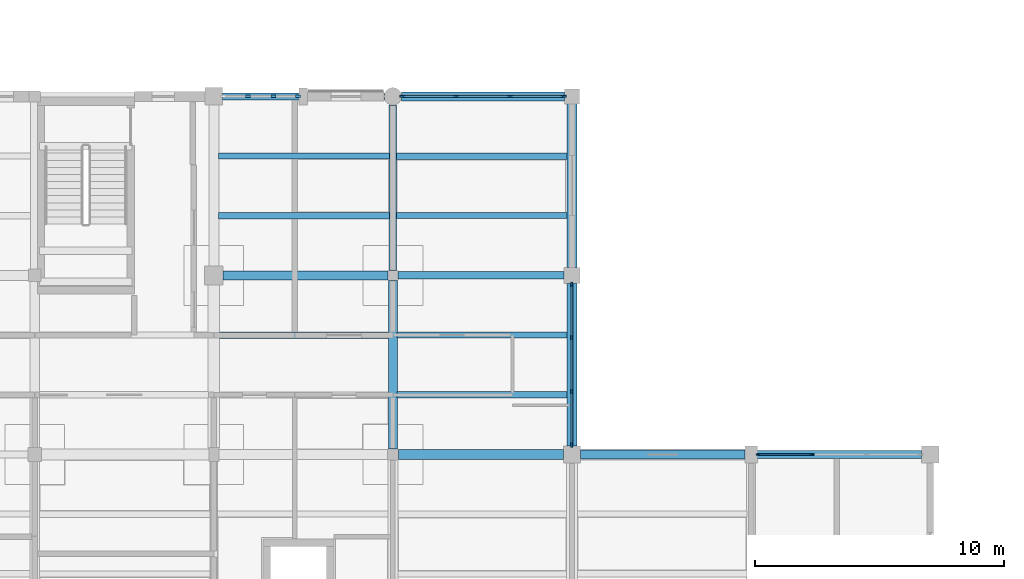
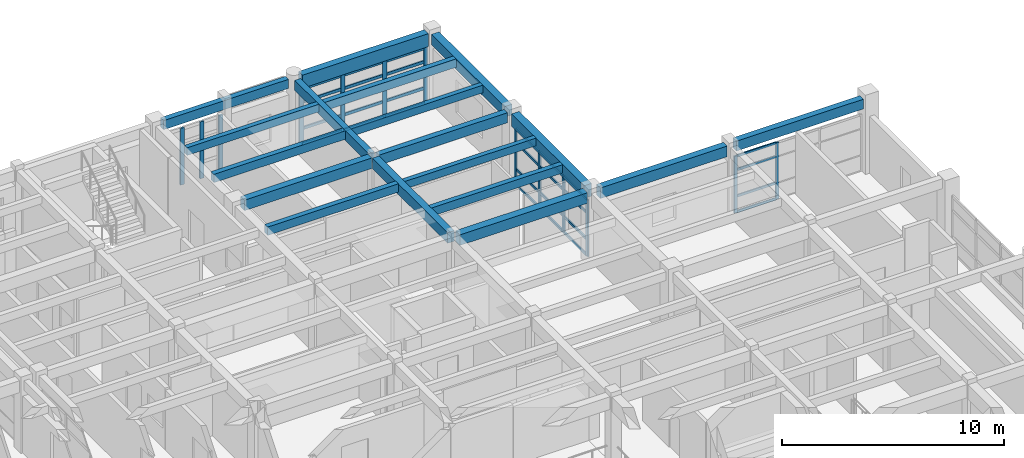
# One storey, part 50 of 110: 41 members, 18 beams, 4 elements without a shape of their own.
"""IFC4 building model written with IfcOpenShell, lengths in metres."""

from ifc_helpers import new_model, si_unit, direction, frame, origin, origin_2d, place, context, subcontext, project, spatial, rectangle, extrude, material, material_profile, profile_set, type_object, element, aggregate, save


model = new_model("IFC4")

# Units and contexts
model_context = context("Model", 3, precision=1e-05, world=origin(), true_north=direction((0.0, 1.0)))
body_context = subcontext(model_context, "Body", "Model", "MODEL_VIEW")
ifc_project = project(units=[si_unit("LENGTHUNIT", "METRE"), si_unit("AREAUNIT", "SQUARE_METRE"), si_unit("VOLUMEUNIT", "CUBIC_METRE"), si_unit("PLANEANGLEUNIT", "RADIAN"), si_unit("MASSUNIT", "GRAM", prefix="KILO")], contexts=[model_context])

# Site, building, storey
site_placement = place(None, origin())
site = spatial("IfcSite", under=ifc_project, at=site_placement, CompositionType="ELEMENT")
building_placement = place(site_placement, origin())
building = spatial("IfcBuilding", under=site, at=building_placement, Name="Steenspoor Specialist Clinic", CompositionType="ELEMENT")
storey_placement = place(building_placement, frame((0.0, 0.0, 4.800048828125)))
storey = spatial("IfcBuildingStorey", under=building, at=storey_placement, Name="L01", CompositionType="ELEMENT", Elevation=4.800048828125)

# Beams
ifc_material_1 = material(Name="Concrete C35/45", Category="concrete")
ifc_material_profile_1 = material_profile(ifc_material_1, rectangle(XDim=0.300048828125, YDim=0.550048828125, at=origin_2d()), Name="RC-BM-300X550")
ifc_profile_set_1 = profile_set([ifc_material_profile_1], Name="Concrete C35/45")
beam_type_1 = type_object("IfcBeamType", Name="BM-RC-300X550", PredefinedType="BEAM", material=ifc_profile_set_1)
beam_1_placement = place(storey_placement, frame((139.794921875, 101.14990234375, 3.675048828125), z_axis=(1.0, 0.0, 0.0), x_axis=(0.0, 1.0, 0.0)))
element("IfcBeam", 1, at=beam_1_placement, inside=storey, type_object=beam_type_1, Name="BM-V6-L01-X1505", PredefinedType="BEAM", context=body_context, shape_type="SweptSolid", body=[
    extrude(rectangle(XDim=0.300048828125, YDim=0.550048828125, at=origin_2d()), origin(), (0.0, 0.0, 1.0), 6.68505859375),
])
beam_2_placement = place(storey_placement, frame((139.60009765625, 101.344970703125, 3.675048828125), z_axis=(0.0, 1.0, 0.0), x_axis=(-1.0, 0.0, 0.0)))
element("IfcBeam", 2, at=beam_2_placement, inside=storey, type_object=beam_type_1, Name="BM-V6-L01-Y1533", PredefinedType="BEAM", context=body_context, shape_type="SweptSolid", body=[
    extrude(rectangle(XDim=0.300048828125, YDim=0.550048828125, at=origin_2d()), origin(), (0.0, 0.0, 1.0), 6.659912109375),
])
ifc_material_profile_2 = material_profile(ifc_material_1, rectangle(XDim=0.35009765625, YDim=0.580078125, at=origin_2d()), Name="RC-BM-350X580")
ifc_profile_set_2 = profile_set([ifc_material_profile_2], Name="Concrete C35/45")
beam_type_2 = type_object("IfcBeamType", Name="BM-RC-350X580", PredefinedType="BEAM", material=ifc_profile_set_2)
beam_3_placement = place(storey_placement, frame((147.14501953125, 93.949951171875, 3.659912109375), z_axis=(1.0, 0.0, 0.0), x_axis=(0.0, 1.0, 0.0)))
element("IfcBeam", 3, at=beam_3_placement, inside=storey, type_object=beam_type_2, Name="BM-V6-L01-X1502", PredefinedType="BEAM", context=body_context, shape_type="SweptSolid", body=[
    extrude(rectangle(XDim=0.35009765625, YDim=0.580078125, at=origin_2d()), origin(), (0.0, 0.0, 1.0), 6.60986328125),
])
beam_4_placement = place(storey_placement, frame((132.77001953125, 101.14990234375, 3.659912109375), z_axis=(1.0, 0.0, 0.0), x_axis=(0.0, 1.0, 0.0)))
element("IfcBeam", 4, at=beam_4_placement, inside=storey, type_object=beam_type_2, Name="BM-V6-L01-X1504", PredefinedType="BEAM", context=body_context, shape_type="SweptSolid", body=[
    extrude(rectangle(XDim=0.35009765625, YDim=0.580078125, at=origin_2d()), origin(), (0.0, 0.0, 1.0), 6.635009765625),
])
beam_5_placement = place(storey_placement, frame((139.60009765625, 94.169921875, 3.659912109375), z_axis=(0.0, 1.0, 0.0), x_axis=(-1.0, 0.0, 0.0)))
element("IfcBeam", 5, at=beam_5_placement, inside=storey, type_object=beam_type_2, Name="BM-V6-L01-Y1532", PredefinedType="BEAM", context=body_context, shape_type="SweptSolid", body=[
    extrude(rectangle(XDim=0.35009765625, YDim=0.580078125, at=origin_2d()), origin(), (0.0, 0.0, 1.0), 6.78515625),
])
ifc_material_profile_3 = material_profile(ifc_material_1, rectangle(XDim=0.39990234375, YDim=0.580078125, at=origin_2d()), Name="RC-BM-400X580")
ifc_profile_set_3 = profile_set([ifc_material_profile_3], Name="Concrete C35/45")
beam_type_3 = type_object("IfcBeamType", Name="BM-RC-400X580", PredefinedType="BEAM", material=ifc_profile_set_3)
beam_6_placement = place(storey_placement, frame((139.820068359375, 93.949951171875, 3.659912109375), z_axis=(1.0, 0.0, 0.0), x_axis=(0.0, 1.0, 0.0)))
element("IfcBeam", 6, at=beam_6_placement, inside=storey, type_object=beam_type_3, Name="BM-V6-L01-X1501", PredefinedType="BEAM", context=body_context, shape_type="SweptSolid", body=[
    extrude(rectangle(XDim=0.39990234375, YDim=0.580078125, at=origin_2d()), origin(), (0.0, 0.0, 1.0), 6.635009765625),
])
beam_7_placement = place(storey_placement, frame((146.800048828125, 101.469970703125, 3.659912109375), z_axis=(0.0, 1.0, 0.0), x_axis=(-1.0, 0.0, 0.0)))
element("IfcBeam", 7, at=beam_7_placement, inside=storey, type_object=beam_type_3, Name="BM-V6-L01-Y1539", PredefinedType="BEAM", context=body_context, shape_type="SweptSolid", body=[
    extrude(rectangle(XDim=0.39990234375, YDim=0.580078125, at=origin_2d()), origin(), (0.0, 0.0, 1.0), 6.5849609375),
])
ifc_material_profile_4 = material_profile(ifc_material_1, rectangle(XDim=0.39990234375, YDim=0.699951171875, at=origin_2d()), Name="RC-BM-400X700")
ifc_profile_set_4 = profile_set([ifc_material_profile_4], Name="Concrete C35/45")
beam_type_4 = type_object("IfcBeamType", Name="BM-RC-400X700", PredefinedType="BEAM", material=ifc_profile_set_4)
beam_8_placement = place(storey_placement, frame((146.800048828125, 94.294921875, 3.599853515625), z_axis=(0.0, 1.0, 0.0), x_axis=(-1.0, 0.0, 0.0)))
element("IfcBeam", 8, at=beam_8_placement, inside=storey, type_object=beam_type_4, Name="BM-V6-L01-Y1538", PredefinedType="BEAM", context=body_context, shape_type="SweptSolid", body=[
    extrude(rectangle(XDim=0.39990234375, YDim=0.699951171875, at=origin_2d()), origin(), (0.0, 0.0, 1.0), 6.53515625),
])

# Curtain wall, members
ifc_material_2 = material(Name="Thermally broken aluminium and low-emissivity glass", Category="aluminium")
curtain_wall_type_1 = type_object("IfcCurtainWallType", Name="CW-TYP-360X355", PredefinedType="USERDEFINED", material=ifc_material_2)
curtain_wall_1_placement = place(storey_placement, origin())
curtain_wall_1 = element("IfcCurtainWall", 9, at=curtain_wall_1_placement, inside=storey, type_object=curtain_wall_type_1, Name="Unitised Curtain Wall CW-V6-L01-182", ObjectType="UNITISED GLAZING", PredefinedType="USERDEFINED")
ifc_material_3 = material(Name="Thermally broken aluminium 6063-T6", Category="aluminium")
ifc_material_profile_5 = material_profile(ifc_material_3, rectangle(XDim=0.070068359375, YDim=0.1650390625, at=origin_2d()), Name="CWM-70X165")
ifc_profile_set_5 = profile_set([ifc_material_profile_5], Name="Thermally broken aluminium 6063-T6")
member_type_1 = type_object("IfcMemberType", Name="CW-MULL-70X165", PredefinedType="MULLION", material=ifc_profile_set_5)
member_1_placement = place(storey_placement, frame((154.284912109375, 93.949951171875, 0.0), z_axis=(0.0, 0.0, 1.0), x_axis=(0.0, 1.0, 0.0)))
member_1 = element("IfcMember", 10, at=member_1_placement, type_object=member_type_1, Name="CW-14 mullion 1", PredefinedType="MULLION", context=body_context, shape_type="SweptSolid", body=[
    extrude(rectangle(XDim=0.070068359375, YDim=0.1650390625, at=origin_2d()), origin(), (0.0, 0.0, 1.0), 3.1298828125),
])
member_2_placement = place(storey_placement, frame((156.449951171875, 93.949951171875, 0.0), z_axis=(0.0, 0.0, 1.0), x_axis=(0.0, 1.0, 0.0)))
member_2 = element("IfcMember", 11, at=member_2_placement, type_object=member_type_1, Name="CW-14 mullion 2", PredefinedType="MULLION", context=body_context, shape_type="SweptSolid", body=[
    extrude(rectangle(XDim=0.070068359375, YDim=0.1650390625, at=origin_2d()), origin(), (0.0, 0.0, 1.0), 3.1298828125),
])

curtain_wall_type_2 = type_object("IfcCurtainWallType", Name="CW-TYP-420X355", PredefinedType="USERDEFINED", material=ifc_material_2)
curtain_wall_2_placement = place(storey_placement, origin())
curtain_wall_2 = element("IfcCurtainWall", 12, at=curtain_wall_2_placement, inside=storey, type_object=curtain_wall_type_2, Name="Unitised Curtain Wall CW-V6-L01-181", ObjectType="UNITISED GLAZING", PredefinedType="USERDEFINED")
ifc_material_profile_6 = material_profile(ifc_material_3, rectangle(XDim=0.080078125, YDim=0.179931640625, at=origin_2d()), Name="CWM-80X180")
ifc_profile_set_6 = profile_set([ifc_material_profile_6], Name="Thermally broken aluminium 6063-T6")
member_type_2 = type_object("IfcMemberType", Name="CW-MULL-80X180", PredefinedType="MULLION", material=ifc_profile_set_6)
member_3_placement = place(storey_placement, frame((146.800048828125, 100.784912109375, 0.0), z_axis=(0.0, 0.0, 1.0), x_axis=(1.0, 0.0, 0.0)))
member_3 = element("IfcMember", 13, at=member_3_placement, type_object=member_type_2, Name="CW-13 mullion 1", PredefinedType="MULLION", context=body_context, shape_type="SweptSolid", body=[
    extrude(rectangle(XDim=0.080078125, YDim=0.179931640625, at=origin_2d()), origin(), (0.0, 0.0, 1.0), 3.1298828125),
])
member_4_placement = place(storey_placement, frame((146.800048828125, 98.64990234375, 0.0), z_axis=(0.0, 0.0, 1.0), x_axis=(1.0, 0.0, 0.0)))
member_4 = element("IfcMember", 14, at=member_4_placement, type_object=member_type_2, Name="CW-13 mullion 2", PredefinedType="MULLION", context=body_context, shape_type="SweptSolid", body=[
    extrude(rectangle(XDim=0.080078125, YDim=0.179931640625, at=origin_2d()), origin(), (0.0, 0.0, 1.0), 3.1298828125),
])
member_5_placement = place(storey_placement, frame((146.800048828125, 96.47509765625, 0.0), z_axis=(0.0, 0.0, 1.0), x_axis=(1.0, 0.0, 0.0)))
member_5 = element("IfcMember", 15, at=member_5_placement, type_object=member_type_2, Name="CW-13 mullion 3", PredefinedType="MULLION", context=body_context, shape_type="SweptSolid", body=[
    extrude(rectangle(XDim=0.080078125, YDim=0.179931640625, at=origin_2d()), origin(), (0.0, 0.0, 1.0), 3.1298828125),
])
member_6_placement = place(storey_placement, frame((146.800048828125, 94.340087890625, 0.0), z_axis=(0.0, 0.0, 1.0), x_axis=(1.0, 0.0, 0.0)))
member_6 = element("IfcMember", 16, at=member_6_placement, type_object=member_type_2, Name="CW-13 mullion 4", PredefinedType="MULLION", context=body_context, shape_type="SweptSolid", body=[
    extrude(rectangle(XDim=0.080078125, YDim=0.179931640625, at=origin_2d()), origin(), (0.0, 0.0, 1.0), 3.1298828125),
])

curtain_wall_type_3 = type_object("IfcCurtainWallType", Name="CW-TYP-480X355", PredefinedType="USERDEFINED", material=ifc_material_2)
curtain_wall_3_placement = place(storey_placement, origin())
curtain_wall_3 = element("IfcCurtainWall", 17, at=curtain_wall_3_placement, inside=storey, type_object=curtain_wall_type_3, Name="Unitised Curtain Wall CW-V6-L01-180", ObjectType="UNITISED GLAZING", PredefinedType="USERDEFINED")
ifc_material_profile_7 = material_profile(ifc_material_3, rectangle(XDim=0.080078125, YDim=0.219970703125, at=origin_2d()), Name="CWM-80X220")
ifc_profile_set_7 = profile_set([ifc_material_profile_7], Name="Thermally broken aluminium 6063-T6")
member_type_3 = type_object("IfcMemberType", Name="CW-MULL-80X220", PredefinedType="MULLION", material=ifc_profile_set_7)
member_7_placement = place(storey_placement, frame((139.989990234375, 108.35009765625, 0.0), z_axis=(0.0, 0.0, 1.0), x_axis=(0.0, 1.0, 0.0)))
member_7 = element("IfcMember", 18, at=member_7_placement, type_object=member_type_3, Name="CW-12 mullion 1", PredefinedType="MULLION", context=body_context, shape_type="SweptSolid", body=[
    extrude(rectangle(XDim=0.080078125, YDim=0.219970703125, at=origin_2d()), origin(), (0.0, 0.0, 1.0), 3.1298828125),
])
member_8_placement = place(storey_placement, frame((142.13330078125, 108.35009765625, 0.0), z_axis=(0.0, 0.0, 1.0), x_axis=(0.0, 1.0, 0.0)))
member_8 = element("IfcMember", 19, at=member_8_placement, type_object=member_type_3, Name="CW-12 mullion 2", PredefinedType="MULLION", context=body_context, shape_type="SweptSolid", body=[
    extrude(rectangle(XDim=0.080078125, YDim=0.219970703125, at=origin_2d()), origin(), (0.0, 0.0, 1.0), 3.1298828125),
])
member_9_placement = place(storey_placement, frame((144.316650390625, 108.35009765625, 0.0), z_axis=(0.0, 0.0, 1.0), x_axis=(0.0, 1.0, 0.0)))
member_9 = element("IfcMember", 20, at=member_9_placement, type_object=member_type_3, Name="CW-12 mullion 3", PredefinedType="MULLION", context=body_context, shape_type="SweptSolid", body=[
    extrude(rectangle(XDim=0.080078125, YDim=0.219970703125, at=origin_2d()), origin(), (0.0, 0.0, 1.0), 3.1298828125),
])
member_10_placement = place(storey_placement, frame((146.4599609375, 108.35009765625, 0.0), z_axis=(0.0, 0.0, 1.0), x_axis=(0.0, 1.0, 0.0)))
member_10 = element("IfcMember", 21, at=member_10_placement, type_object=member_type_3, Name="CW-12 mullion 4", PredefinedType="MULLION", context=body_context, shape_type="SweptSolid", body=[
    extrude(rectangle(XDim=0.080078125, YDim=0.219970703125, at=origin_2d()), origin(), (0.0, 0.0, 1.0), 3.1298828125),
])

curtain_wall_type_4 = type_object("IfcCurtainWallType", Name="CW-TYP-540X355", PredefinedType="USERDEFINED", material=ifc_material_2)
curtain_wall_4_placement = place(storey_placement, origin())
curtain_wall_4 = element("IfcCurtainWall", 22, at=curtain_wall_4_placement, inside=storey, type_object=curtain_wall_type_4, Name="Unitised Curtain Wall CW-V6-L01-179", ObjectType="UNITISED GLAZING", PredefinedType="USERDEFINED")
ifc_material_profile_8 = material_profile(ifc_material_3, rectangle(XDim=0.090087890625, YDim=0.199951171875, at=origin_2d()), Name="CWM-90X200")
ifc_profile_set_8 = profile_set([ifc_material_profile_8], Name="Thermally broken aluminium 6063-T6")
member_type_4 = type_object("IfcMemberType", Name="CW-MULL-90X200", PredefinedType="MULLION", material=ifc_profile_set_8)
member_11_placement = place(storey_placement, frame((133.776611328125, 108.35009765625, 0.0), z_axis=(0.0, 0.0, 1.0), x_axis=(0.0, 1.0, 0.0)))
member_11 = element("IfcMember", 23, at=member_11_placement, type_object=member_type_4, Name="CW-11 mullion 2", PredefinedType="MULLION", context=body_context, shape_type="SweptSolid", body=[
    extrude(rectangle(XDim=0.090087890625, YDim=0.199951171875, at=origin_2d()), origin(), (0.0, 0.0, 1.0), 3.1298828125),
])
member_12_placement = place(storey_placement, frame((134.80322265625, 108.35009765625, 0.0), z_axis=(0.0, 0.0, 1.0), x_axis=(0.0, 1.0, 0.0)))
member_12 = element("IfcMember", 24, at=member_12_placement, type_object=member_type_4, Name="CW-11 mullion 3", PredefinedType="MULLION", context=body_context, shape_type="SweptSolid", body=[
    extrude(rectangle(XDim=0.090087890625, YDim=0.199951171875, at=origin_2d()), origin(), (0.0, 0.0, 1.0), 3.1298828125),
])
member_13_placement = place(storey_placement, frame((135.784912109375, 108.35009765625, 0.0), z_axis=(0.0, 0.0, 1.0), x_axis=(0.0, 1.0, 0.0)))
member_13 = element("IfcMember", 25, at=member_13_placement, type_object=member_type_4, Name="CW-11 mullion 4", PredefinedType="MULLION", context=body_context, shape_type="SweptSolid", body=[
    extrude(rectangle(XDim=0.090087890625, YDim=0.199951171875, at=origin_2d()), origin(), (0.0, 0.0, 1.0), 3.1298828125),
])
aggregate(curtain_wall_4, [member_11, member_12, member_13])

# Member
ifc_material_profile_9 = material_profile(ifc_material_3, rectangle(XDim=0.06494140625, YDim=0.1298828125, at=origin_2d()), Name="CWT-65X130")
ifc_profile_set_9 = profile_set([ifc_material_profile_9], Name="Thermally broken aluminium 6063-T6")
member_type_5 = type_object("IfcMemberType", Name="CW-TRAN-65X130", PredefinedType="USERDEFINED", material=ifc_profile_set_9)
member_14_placement = place(storey_placement, frame((154.320068359375, 93.949951171875, 0.032470703125), z_axis=(1.0, 0.0, 0.0), x_axis=(0.0, 1.0, 0.0)))
member_14 = element("IfcMember", 26, at=member_14_placement, type_object=member_type_5, Name="CW-14 transom 1.1", ObjectType="TRANSOM", PredefinedType="USERDEFINED", context=body_context, shape_type="SweptSolid", body=[
    extrude(rectangle(XDim=0.06494140625, YDim=0.1298828125, at=origin_2d()), origin(), (0.0, 0.0, 1.0), 2.094970703125),
])

member_15_placement = place(storey_placement, frame((154.320068359375, 93.949951171875, 0.89990234375), z_axis=(1.0, 0.0, 0.0), x_axis=(0.0, 1.0, 0.0)))
member_15 = element("IfcMember", 27, at=member_15_placement, type_object=member_type_5, Name="CW-14 transom 1.2", ObjectType="TRANSOM", PredefinedType="USERDEFINED", context=body_context, shape_type="SweptSolid", body=[
    extrude(rectangle(XDim=0.06494140625, YDim=0.1298828125, at=origin_2d()), origin(), (0.0, 0.0, 1.0), 2.094970703125),
])

member_16_placement = place(storey_placement, frame((154.320068359375, 93.949951171875, 2.349853515625), z_axis=(1.0, 0.0, 0.0), x_axis=(0.0, 1.0, 0.0)))
member_16 = element("IfcMember", 28, at=member_16_placement, type_object=member_type_5, Name="CW-14 transom 1.3", ObjectType="TRANSOM", PredefinedType="USERDEFINED", context=body_context, shape_type="SweptSolid", body=[
    extrude(rectangle(XDim=0.06494140625, YDim=0.1298828125, at=origin_2d()), origin(), (0.0, 0.0, 1.0), 2.094970703125),
])

member_17_placement = place(storey_placement, frame((154.320068359375, 93.949951171875, 3.097412109375), z_axis=(1.0, 0.0, 0.0), x_axis=(0.0, 1.0, 0.0)))
member_17 = element("IfcMember", 29, at=member_17_placement, type_object=member_type_5, Name="CW-14 transom 1.4", ObjectType="TRANSOM", PredefinedType="USERDEFINED", context=body_context, shape_type="SweptSolid", body=[
    extrude(rectangle(XDim=0.06494140625, YDim=0.1298828125, at=origin_2d()), origin(), (0.0, 0.0, 1.0), 2.094970703125),
])

aggregate(curtain_wall_1, [member_1, member_2, member_14, member_15, member_16, member_17])

ifc_material_profile_10 = material_profile(ifc_material_3, rectangle(XDim=0.070068359375, YDim=0.14501953125, at=origin_2d()), Name="CWT-70X145")
ifc_profile_set_10 = profile_set([ifc_material_profile_10], Name="Thermally broken aluminium 6063-T6")
member_type_6 = type_object("IfcMemberType", Name="CW-TRAN-70X145", PredefinedType="USERDEFINED", material=ifc_profile_set_10)
member_18_placement = place(storey_placement, frame((146.800048828125, 100.7451171875, 0.034912109375), z_axis=(0.0, -1.0, 0.0), x_axis=(1.0, 0.0, 0.0)))
member_18 = element("IfcMember", 30, at=member_18_placement, type_object=member_type_6, Name="CW-13 transom 1.1", ObjectType="TRANSOM", PredefinedType="USERDEFINED", context=body_context, shape_type="SweptSolid", body=[
    extrude(rectangle(XDim=0.070068359375, YDim=0.14501953125, at=origin_2d()), origin(), (0.0, 0.0, 1.0), 2.05517578125),
])

member_19_placement = place(storey_placement, frame((146.800048828125, 100.7451171875, 0.89990234375), z_axis=(0.0, -1.0, 0.0), x_axis=(1.0, 0.0, 0.0)))
member_19 = element("IfcMember", 31, at=member_19_placement, type_object=member_type_6, Name="CW-13 transom 1.2", ObjectType="TRANSOM", PredefinedType="USERDEFINED", context=body_context, shape_type="SweptSolid", body=[
    extrude(rectangle(XDim=0.070068359375, YDim=0.14501953125, at=origin_2d()), origin(), (0.0, 0.0, 1.0), 2.05517578125),
])

member_20_placement = place(storey_placement, frame((146.800048828125, 100.7451171875, 2.349853515625), z_axis=(0.0, -1.0, 0.0), x_axis=(1.0, 0.0, 0.0)))
member_20 = element("IfcMember", 32, at=member_20_placement, type_object=member_type_6, Name="CW-13 transom 1.3", ObjectType="TRANSOM", PredefinedType="USERDEFINED", context=body_context, shape_type="SweptSolid", body=[
    extrude(rectangle(XDim=0.070068359375, YDim=0.14501953125, at=origin_2d()), origin(), (0.0, 0.0, 1.0), 2.05517578125),
])

member_21_placement = place(storey_placement, frame((146.800048828125, 100.7451171875, 3.094970703125), z_axis=(0.0, -1.0, 0.0), x_axis=(1.0, 0.0, 0.0)))
member_21 = element("IfcMember", 33, at=member_21_placement, type_object=member_type_6, Name="CW-13 transom 1.4", ObjectType="TRANSOM", PredefinedType="USERDEFINED", context=body_context, shape_type="SweptSolid", body=[
    extrude(rectangle(XDim=0.070068359375, YDim=0.14501953125, at=origin_2d()), origin(), (0.0, 0.0, 1.0), 2.05517578125),
])

member_22_placement = place(storey_placement, frame((146.800048828125, 98.610107421875, 0.034912109375), z_axis=(0.0, -1.0, 0.0), x_axis=(1.0, 0.0, 0.0)))
member_22 = element("IfcMember", 34, at=member_22_placement, type_object=member_type_6, Name="CW-13 transom 2.1", ObjectType="TRANSOM", PredefinedType="USERDEFINED", context=body_context, shape_type="SweptSolid", body=[
    extrude(rectangle(XDim=0.070068359375, YDim=0.14501953125, at=origin_2d()), origin(), (0.0, 0.0, 1.0), 2.09521484375),
])

member_23_placement = place(storey_placement, frame((146.800048828125, 98.610107421875, 0.89990234375), z_axis=(0.0, -1.0, 0.0), x_axis=(1.0, 0.0, 0.0)))
member_23 = element("IfcMember", 35, at=member_23_placement, type_object=member_type_6, Name="CW-13 transom 2.2", ObjectType="TRANSOM", PredefinedType="USERDEFINED", context=body_context, shape_type="SweptSolid", body=[
    extrude(rectangle(XDim=0.070068359375, YDim=0.14501953125, at=origin_2d()), origin(), (0.0, 0.0, 1.0), 2.09521484375),
])

member_24_placement = place(storey_placement, frame((146.800048828125, 98.610107421875, 2.349853515625), z_axis=(0.0, -1.0, 0.0), x_axis=(1.0, 0.0, 0.0)))
member_24 = element("IfcMember", 36, at=member_24_placement, type_object=member_type_6, Name="CW-13 transom 2.3", ObjectType="TRANSOM", PredefinedType="USERDEFINED", context=body_context, shape_type="SweptSolid", body=[
    extrude(rectangle(XDim=0.070068359375, YDim=0.14501953125, at=origin_2d()), origin(), (0.0, 0.0, 1.0), 2.09521484375),
])

member_25_placement = place(storey_placement, frame((146.800048828125, 98.610107421875, 3.094970703125), z_axis=(0.0, -1.0, 0.0), x_axis=(1.0, 0.0, 0.0)))
member_25 = element("IfcMember", 37, at=member_25_placement, type_object=member_type_6, Name="CW-13 transom 2.4", ObjectType="TRANSOM", PredefinedType="USERDEFINED", context=body_context, shape_type="SweptSolid", body=[
    extrude(rectangle(XDim=0.070068359375, YDim=0.14501953125, at=origin_2d()), origin(), (0.0, 0.0, 1.0), 2.09521484375),
])

member_26_placement = place(storey_placement, frame((146.800048828125, 96.43505859375, 0.034912109375), z_axis=(0.0, -1.0, 0.0), x_axis=(1.0, 0.0, 0.0)))
member_26 = element("IfcMember", 38, at=member_26_placement, type_object=member_type_6, Name="CW-13 transom 3.1", ObjectType="TRANSOM", PredefinedType="USERDEFINED", context=body_context, shape_type="SweptSolid", body=[
    extrude(rectangle(XDim=0.070068359375, YDim=0.14501953125, at=origin_2d()), origin(), (0.0, 0.0, 1.0), 2.05517578125),
])

member_27_placement = place(storey_placement, frame((146.800048828125, 96.43505859375, 0.89990234375), z_axis=(0.0, -1.0, 0.0), x_axis=(1.0, 0.0, 0.0)))
member_27 = element("IfcMember", 39, at=member_27_placement, type_object=member_type_6, Name="CW-13 transom 3.2", ObjectType="TRANSOM", PredefinedType="USERDEFINED", context=body_context, shape_type="SweptSolid", body=[
    extrude(rectangle(XDim=0.070068359375, YDim=0.14501953125, at=origin_2d()), origin(), (0.0, 0.0, 1.0), 2.05517578125),
])

member_28_placement = place(storey_placement, frame((146.800048828125, 96.43505859375, 2.349853515625), z_axis=(0.0, -1.0, 0.0), x_axis=(1.0, 0.0, 0.0)))
member_28 = element("IfcMember", 40, at=member_28_placement, type_object=member_type_6, Name="CW-13 transom 3.3", ObjectType="TRANSOM", PredefinedType="USERDEFINED", context=body_context, shape_type="SweptSolid", body=[
    extrude(rectangle(XDim=0.070068359375, YDim=0.14501953125, at=origin_2d()), origin(), (0.0, 0.0, 1.0), 2.05517578125),
])

member_29_placement = place(storey_placement, frame((146.800048828125, 96.43505859375, 3.094970703125), z_axis=(0.0, -1.0, 0.0), x_axis=(1.0, 0.0, 0.0)))
member_29 = element("IfcMember", 41, at=member_29_placement, type_object=member_type_6, Name="CW-13 transom 3.4", ObjectType="TRANSOM", PredefinedType="USERDEFINED", context=body_context, shape_type="SweptSolid", body=[
    extrude(rectangle(XDim=0.070068359375, YDim=0.14501953125, at=origin_2d()), origin(), (0.0, 0.0, 1.0), 2.05517578125),
])

aggregate(curtain_wall_2, [member_3, member_4, member_5, member_6, member_18, member_19, member_20, member_21, member_22, member_23, member_24, member_25, member_26, member_27, member_28, member_29])

ifc_material_profile_11 = material_profile(ifc_material_3, rectangle(XDim=0.080078125, YDim=0.159912109375, at=origin_2d()), Name="CWT-80X160")
ifc_profile_set_11 = profile_set([ifc_material_profile_11], Name="Thermally broken aluminium 6063-T6")
member_type_7 = type_object("IfcMemberType", Name="CW-TRAN-80X160", PredefinedType="USERDEFINED", material=ifc_profile_set_11)
member_30_placement = place(storey_placement, frame((140.030029296875, 108.35009765625, 0.0400390625), z_axis=(1.0, 0.0, 0.0), x_axis=(0.0, 1.0, 0.0)))
member_30 = element("IfcMember", 42, at=member_30_placement, type_object=member_type_7, Name="CW-12 transom 1.1", ObjectType="TRANSOM", PredefinedType="USERDEFINED", context=body_context, shape_type="SweptSolid", body=[
    extrude(rectangle(XDim=0.080078125, YDim=0.159912109375, at=origin_2d()), origin(), (0.0, 0.0, 1.0), 2.063232421875),
])

member_31_placement = place(storey_placement, frame((140.030029296875, 108.35009765625, 0.89990234375), z_axis=(1.0, 0.0, 0.0), x_axis=(0.0, 1.0, 0.0)))
member_31 = element("IfcMember", 43, at=member_31_placement, type_object=member_type_7, Name="CW-12 transom 1.2", ObjectType="TRANSOM", PredefinedType="USERDEFINED", context=body_context, shape_type="SweptSolid", body=[
    extrude(rectangle(XDim=0.080078125, YDim=0.159912109375, at=origin_2d()), origin(), (0.0, 0.0, 1.0), 2.063232421875),
])

member_32_placement = place(storey_placement, frame((140.030029296875, 108.35009765625, 2.349853515625), z_axis=(1.0, 0.0, 0.0), x_axis=(0.0, 1.0, 0.0)))
member_32 = element("IfcMember", 44, at=member_32_placement, type_object=member_type_7, Name="CW-12 transom 1.3", ObjectType="TRANSOM", PredefinedType="USERDEFINED", context=body_context, shape_type="SweptSolid", body=[
    extrude(rectangle(XDim=0.080078125, YDim=0.159912109375, at=origin_2d()), origin(), (0.0, 0.0, 1.0), 2.063232421875),
])

member_33_placement = place(storey_placement, frame((140.030029296875, 108.35009765625, 3.08984375), z_axis=(1.0, 0.0, 0.0), x_axis=(0.0, 1.0, 0.0)))
member_33 = element("IfcMember", 45, at=member_33_placement, type_object=member_type_7, Name="CW-12 transom 1.4", ObjectType="TRANSOM", PredefinedType="USERDEFINED", context=body_context, shape_type="SweptSolid", body=[
    extrude(rectangle(XDim=0.080078125, YDim=0.159912109375, at=origin_2d()), origin(), (0.0, 0.0, 1.0), 2.063232421875),
])

member_34_placement = place(storey_placement, frame((142.17333984375, 108.35009765625, 0.0400390625), z_axis=(1.0, 0.0, 0.0), x_axis=(0.0, 1.0, 0.0)))
member_34 = element("IfcMember", 46, at=member_34_placement, type_object=member_type_7, Name="CW-12 transom 2.1", ObjectType="TRANSOM", PredefinedType="USERDEFINED", context=body_context, shape_type="SweptSolid", body=[
    extrude(rectangle(XDim=0.080078125, YDim=0.159912109375, at=origin_2d()), origin(), (0.0, 0.0, 1.0), 2.103271484375),
])

member_35_placement = place(storey_placement, frame((142.17333984375, 108.35009765625, 0.89990234375), z_axis=(1.0, 0.0, 0.0), x_axis=(0.0, 1.0, 0.0)))
member_35 = element("IfcMember", 47, at=member_35_placement, type_object=member_type_7, Name="CW-12 transom 2.2", ObjectType="TRANSOM", PredefinedType="USERDEFINED", context=body_context, shape_type="SweptSolid", body=[
    extrude(rectangle(XDim=0.080078125, YDim=0.159912109375, at=origin_2d()), origin(), (0.0, 0.0, 1.0), 2.103271484375),
])

member_36_placement = place(storey_placement, frame((142.17333984375, 108.35009765625, 2.349853515625), z_axis=(1.0, 0.0, 0.0), x_axis=(0.0, 1.0, 0.0)))
member_36 = element("IfcMember", 48, at=member_36_placement, type_object=member_type_7, Name="CW-12 transom 2.3", ObjectType="TRANSOM", PredefinedType="USERDEFINED", context=body_context, shape_type="SweptSolid", body=[
    extrude(rectangle(XDim=0.080078125, YDim=0.159912109375, at=origin_2d()), origin(), (0.0, 0.0, 1.0), 2.103271484375),
])

member_37_placement = place(storey_placement, frame((142.17333984375, 108.35009765625, 3.08984375), z_axis=(1.0, 0.0, 0.0), x_axis=(0.0, 1.0, 0.0)))
member_37 = element("IfcMember", 49, at=member_37_placement, type_object=member_type_7, Name="CW-12 transom 2.4", ObjectType="TRANSOM", PredefinedType="USERDEFINED", context=body_context, shape_type="SweptSolid", body=[
    extrude(rectangle(XDim=0.080078125, YDim=0.159912109375, at=origin_2d()), origin(), (0.0, 0.0, 1.0), 2.103271484375),
])

member_38_placement = place(storey_placement, frame((144.356689453125, 108.35009765625, 0.0400390625), z_axis=(1.0, 0.0, 0.0), x_axis=(0.0, 1.0, 0.0)))
member_38 = element("IfcMember", 50, at=member_38_placement, type_object=member_type_7, Name="CW-12 transom 3.1", ObjectType="TRANSOM", PredefinedType="USERDEFINED", context=body_context, shape_type="SweptSolid", body=[
    extrude(rectangle(XDim=0.080078125, YDim=0.159912109375, at=origin_2d()), origin(), (0.0, 0.0, 1.0), 2.063232421875),
])

member_39_placement = place(storey_placement, frame((144.356689453125, 108.35009765625, 0.89990234375), z_axis=(1.0, 0.0, 0.0), x_axis=(0.0, 1.0, 0.0)))
member_39 = element("IfcMember", 51, at=member_39_placement, type_object=member_type_7, Name="CW-12 transom 3.2", ObjectType="TRANSOM", PredefinedType="USERDEFINED", context=body_context, shape_type="SweptSolid", body=[
    extrude(rectangle(XDim=0.080078125, YDim=0.159912109375, at=origin_2d()), origin(), (0.0, 0.0, 1.0), 2.063232421875),
])

member_40_placement = place(storey_placement, frame((144.356689453125, 108.35009765625, 2.349853515625), z_axis=(1.0, 0.0, 0.0), x_axis=(0.0, 1.0, 0.0)))
member_40 = element("IfcMember", 52, at=member_40_placement, type_object=member_type_7, Name="CW-12 transom 3.3", ObjectType="TRANSOM", PredefinedType="USERDEFINED", context=body_context, shape_type="SweptSolid", body=[
    extrude(rectangle(XDim=0.080078125, YDim=0.159912109375, at=origin_2d()), origin(), (0.0, 0.0, 1.0), 2.063232421875),
])

member_41_placement = place(storey_placement, frame((144.356689453125, 108.35009765625, 3.08984375), z_axis=(1.0, 0.0, 0.0), x_axis=(0.0, 1.0, 0.0)))
member_41 = element("IfcMember", 53, at=member_41_placement, type_object=member_type_7, Name="CW-12 transom 3.4", ObjectType="TRANSOM", PredefinedType="USERDEFINED", context=body_context, shape_type="SweptSolid", body=[
    extrude(rectangle(XDim=0.080078125, YDim=0.159912109375, at=origin_2d()), origin(), (0.0, 0.0, 1.0), 2.063232421875),
])

aggregate(curtain_wall_3, [member_7, member_8, member_9, member_10, member_30, member_31, member_32, member_33, member_34, member_35, member_36, member_37, member_38, member_39, member_40, member_41])

# Beams
ifc_material_profile_12 = material_profile(ifc_material_1, rectangle(XDim=0.239990234375, YDim=0.419921875, at=origin_2d()), Name="RC-JT-240X420")
ifc_profile_set_12 = profile_set([ifc_material_profile_12], Name="Concrete C35/45")
beam_type_5 = type_object("IfcBeamType", Name="JT-RC-240X420", PredefinedType="JOIST", material=ifc_profile_set_12)
beam_9_placement = place(storey_placement, frame((132.594970703125, 105.949951171875, 3.739990234375), z_axis=(1.0, 0.0, 0.0), x_axis=(0.0, 1.0, 0.0)))
element("IfcBeam", 54, at=beam_9_placement, inside=storey, type_object=beam_type_5, Name="JT-V6-L01-1576", PredefinedType="JOIST", context=body_context, shape_type="SweptSolid", body=[
    extrude(rectangle(XDim=0.239990234375, YDim=0.419921875, at=origin_2d()), origin(), (0.0, 0.0, 1.0), 6.860107421875),
])
beam_10_placement = place(storey_placement, frame((139.77001953125, 98.75, 3.739990234375), z_axis=(1.0, 0.0, 0.0), x_axis=(0.0, 1.0, 0.0)))
element("IfcBeam", 55, at=beam_10_placement, inside=storey, type_object=beam_type_5, Name="JT-V6-L01-1584", PredefinedType="JOIST", context=body_context, shape_type="SweptSolid", body=[
    extrude(rectangle(XDim=0.239990234375, YDim=0.419921875, at=origin_2d()), origin(), (0.0, 0.0, 1.0), 6.8349609375),
])
beam_11_placement = place(storey_placement, frame((139.7451171875, 103.550048828125, 3.739990234375), z_axis=(1.0, 0.0, 0.0), x_axis=(0.0, 1.0, 0.0)))
element("IfcBeam", 56, at=beam_11_placement, inside=storey, type_object=beam_type_5, Name="JT-V6-L01-1585", PredefinedType="JOIST", context=body_context, shape_type="SweptSolid", body=[
    extrude(rectangle(XDim=0.239990234375, YDim=0.419921875, at=origin_2d()), origin(), (0.0, 0.0, 1.0), 6.85986328125),
])
ifc_material_profile_13 = material_profile(ifc_material_1, rectangle(XDim=0.260009765625, YDim=0.4599609375, at=origin_2d()), Name="RC-JT-260X460")
ifc_profile_set_13 = profile_set([ifc_material_profile_13], Name="Concrete C35/45")
beam_type_6 = type_object("IfcBeamType", Name="JT-RC-260X460", PredefinedType="JOIST", material=ifc_profile_set_13)
beam_12_placement = place(storey_placement, frame((132.6201171875, 98.75, 3.719970703125), z_axis=(1.0, 0.0, 0.0), x_axis=(0.0, 1.0, 0.0)))
element("IfcBeam", 57, at=beam_12_placement, inside=storey, type_object=beam_type_6, Name="JT-V6-L01-1574", PredefinedType="JOIST", context=body_context, shape_type="SweptSolid", body=[
    extrude(rectangle(XDim=0.260009765625, YDim=0.4599609375, at=origin_2d()), origin(), (0.0, 0.0, 1.0), 6.809814453125),
])
beam_13_placement = place(storey_placement, frame((132.594970703125, 103.550048828125, 3.719970703125), z_axis=(1.0, 0.0, 0.0), x_axis=(0.0, 1.0, 0.0)))
element("IfcBeam", 58, at=beam_13_placement, inside=storey, type_object=beam_type_6, Name="JT-V6-L01-1575", PredefinedType="JOIST", context=body_context, shape_type="SweptSolid", body=[
    extrude(rectangle(XDim=0.260009765625, YDim=0.4599609375, at=origin_2d()), origin(), (0.0, 0.0, 1.0), 6.860107421875),
])
beam_14_placement = place(storey_placement, frame((139.77001953125, 96.35009765625, 3.719970703125), z_axis=(1.0, 0.0, 0.0), x_axis=(0.0, 1.0, 0.0)))
element("IfcBeam", 59, at=beam_14_placement, inside=storey, type_object=beam_type_6, Name="JT-V6-L01-1583", PredefinedType="JOIST", context=body_context, shape_type="SweptSolid", body=[
    extrude(rectangle(XDim=0.260009765625, YDim=0.4599609375, at=origin_2d()), origin(), (0.0, 0.0, 1.0), 6.8349609375),
])
beam_15_placement = place(storey_placement, frame((139.7451171875, 105.949951171875, 3.719970703125), z_axis=(1.0, 0.0, 0.0), x_axis=(0.0, 1.0, 0.0)))
element("IfcBeam", 60, at=beam_15_placement, inside=storey, type_object=beam_type_6, Name="JT-V6-L01-1586", PredefinedType="JOIST", context=body_context, shape_type="SweptSolid", body=[
    extrude(rectangle(XDim=0.260009765625, YDim=0.4599609375, at=origin_2d()), origin(), (0.0, 0.0, 1.0), 6.85986328125),
])
ifc_material_profile_14 = material_profile(ifc_material_1, rectangle(XDim=0.280029296875, YDim=0.5, at=origin_2d()), Name="RC-SP-280X500")
ifc_profile_set_14 = profile_set([ifc_material_profile_14], Name="Concrete C35/45")
beam_type_7 = type_object("IfcBeamType", Name="SP-RC-280X500", PredefinedType="SPANDREL", material=ifc_profile_set_14)
beam_16_placement = place(storey_placement, frame((132.7451171875, 108.35009765625, 3.699951171875), z_axis=(1.0, 0.0, 0.0), x_axis=(0.0, 1.0, 0.0)))
element("IfcBeam", 61, at=beam_16_placement, inside=storey, type_object=beam_type_7, Name="BM-V6-L01-X1508", PredefinedType="SPANDREL", context=body_context, shape_type="SweptSolid", body=[
    extrude(rectangle(XDim=0.280029296875, YDim=0.5, at=origin_2d()), origin(), (0.0, 0.0, 1.0), 6.509765625),
])
ifc_material_profile_15 = material_profile(ifc_material_1, rectangle(XDim=0.320068359375, YDim=0.5400390625, at=origin_2d()), Name="RC-SP-320X540")
ifc_profile_set_15 = profile_set([ifc_material_profile_15], Name="Concrete C35/45")
beam_type_8 = type_object("IfcBeamType", Name="SP-RC-320X540", PredefinedType="SPANDREL", material=ifc_profile_set_15)
beam_17_placement = place(storey_placement, frame((154.2451171875, 93.949951171875, 3.764892578125), z_axis=(1.0, 0.0, 0.0), x_axis=(0.0, 1.0, 0.0)))
element("IfcBeam", 62, at=beam_17_placement, inside=storey, type_object=beam_type_8, Name="BMTIER-V6-L01-X05-04", PredefinedType="SPANDREL", context=body_context, shape_type="SweptSolid", body=[
    extrude(rectangle(XDim=0.320068359375, YDim=0.5400390625, at=origin_2d()), origin(), (0.0, 0.0, 1.0), 6.60986328125),
])
ifc_material_profile_16 = material_profile(ifc_material_1, rectangle(XDim=0.360107421875, YDim=0.719970703125, at=origin_2d()), Name="RC-SP-360X720")
ifc_profile_set_16 = profile_set([ifc_material_profile_16], Name="Concrete C35/45")
beam_type_9 = type_object("IfcBeamType", Name="SP-RC-360X720", PredefinedType="SPANDREL", material=ifc_profile_set_16)
beam_18_placement = place(storey_placement, frame((139.945068359375, 108.35009765625, 3.58984375), z_axis=(1.0, 0.0, 0.0), x_axis=(0.0, 1.0, 0.0)))
element("IfcBeam", 63, at=beam_18_placement, inside=storey, type_object=beam_type_9, Name="BM-V6-L01-X1509", PredefinedType="SPANDREL", context=body_context, shape_type="SweptSolid", body=[
    extrude(rectangle(XDim=0.360107421875, YDim=0.719970703125, at=origin_2d()), origin(), (0.0, 0.0, 1.0), 6.559814453125),
])

save(model, "model.ifc")
